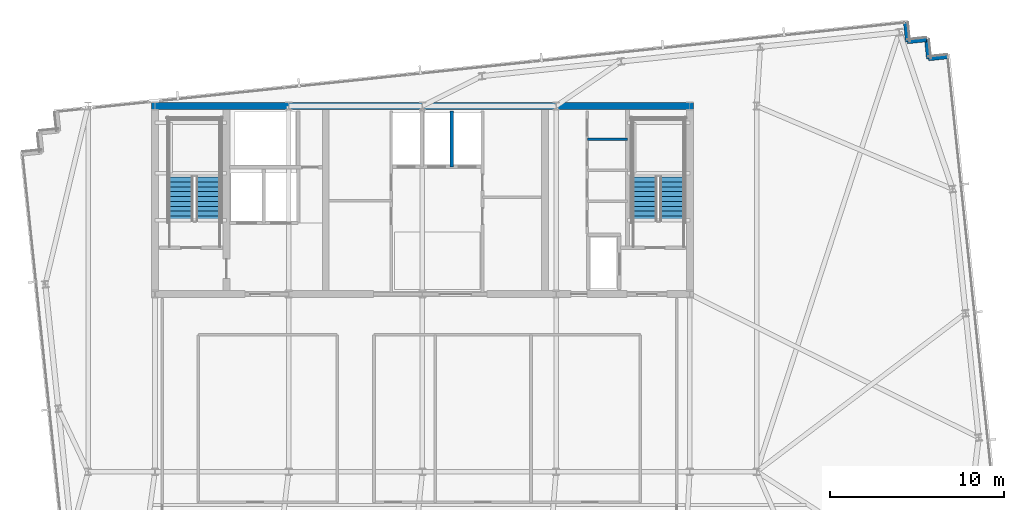
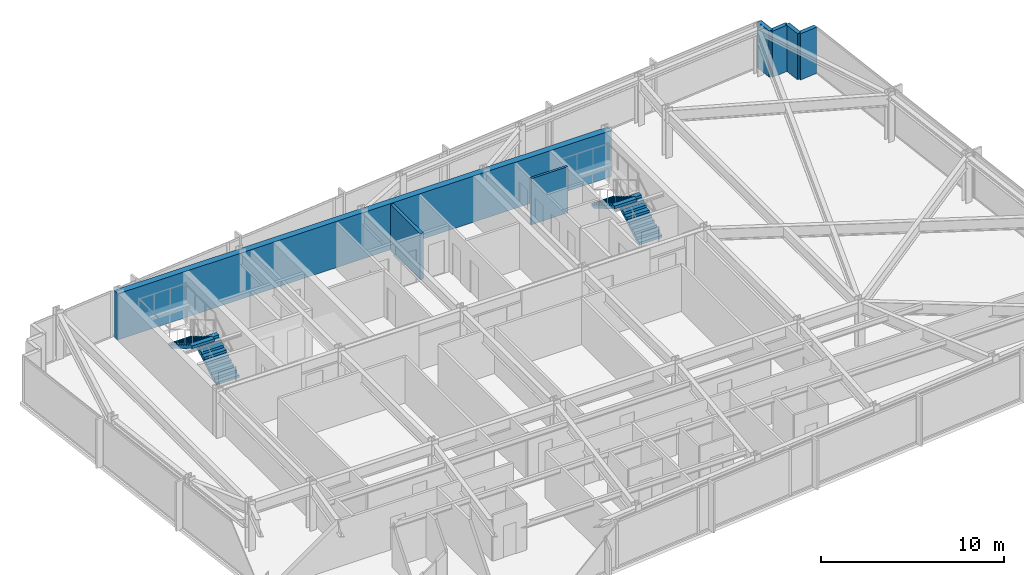
# One storey, part 29 of 33: 7 walls, 4 stair flights, 2 elements without a shape of their own.
"""IFC4 building model written with IfcOpenShell, lengths in metres."""

import ifcopenshell
import ifcopenshell.guid

model = None  # the IFC model being written
_history = None  # IfcOwnerHistory: only IFC2X3 demands one
_inside = {}  # id of a spatial element -> (the spatial element, [elements in it])
_under = {}  # id of a project, library or spatial element -> (it, [spatial elements below it])
_declared = {}  # id of a project -> (the project, [libraries it declares])
_typed = {}  # id of a type object -> (the type object, [elements of that type])
_made_of = {}  # id of a material, layer set ... -> (it, [elements and type objects made of it])


def new_model(schema):
    """Start an empty IFC model of exactly this schema.

    Asked for "IFC4X3", IfcOpenShell would pick the latest addendum, in which some entities
    have other attributes; the version numbers below select the first issue.
    IFC2X3 requires an IfcOwnerHistory on every rooted entity: one is made here for all.
    """
    global model, _history
    if schema == "IFC4X3":
        model = ifcopenshell.file(schema_version=(4, 3, 0, 0))
    else:
        model = ifcopenshell.file(schema=schema)
    _inside.clear()
    _under.clear()
    _declared.clear()
    _typed.clear()
    _made_of.clear()
    _history = None
    if model.schema == "IFC2X3":
        org = make("IfcOrganization", Name="unknown")
        user = make(
            "IfcPersonAndOrganization",
            ThePerson=make("IfcPerson", FamilyName="unknown"),
            TheOrganization=org,
        )
        app = make(
            "IfcApplication",
            ApplicationDeveloper=org,
            Version="unknown",
            ApplicationFullName="unknown",
            ApplicationIdentifier="unknown",
        )
        _history = make(
            "IfcOwnerHistory",
            OwningUser=user,
            OwningApplication=app,
            ChangeAction="ADDED",
            CreationDate=0,
        )
    return model


def make(cls, **values):
    """One entity of the class cls with the attributes given. An attribute that is None is left unset."""
    return model.create_entity(
        cls, **{name: value for name, value in values.items() if value is not None}
    )


def rooted(cls, **values):
    """An entity with a GlobalId (a new one), such as an element, a storey or a relation."""
    return make(cls, GlobalId=ifcopenshell.guid.new(), OwnerHistory=_history, **values)


def si_unit(unit_type, name, prefix=None):
    """IfcSIUnit, for example si_unit("LENGTHUNIT", "METRE", prefix="MILLI")."""
    return make("IfcSIUnit", UnitType=unit_type, Prefix=prefix, Name=name)


def assignment(units):
    """IfcUnitAssignment: the units of a project."""
    return None if units is None else make("IfcUnitAssignment", Units=units)


def point(xyz):
    """IfcCartesianPoint."""
    return None if xyz is None else make("IfcCartesianPoint", Coordinates=xyz)


def direction(xyz):
    """IfcDirection."""
    return None if xyz is None else make("IfcDirection", DirectionRatios=xyz)


def frame(location, z_axis=None, x_axis=None):
    """IfcAxis2Placement3D, a coordinate frame: its origin and axes. An axis left out is left unset."""
    return make(
        "IfcAxis2Placement3D",
        Location=point(location),
        Axis=direction(z_axis),
        RefDirection=direction(x_axis),
    )


def frame_2d(location, x_axis=None):
    """IfcAxis2Placement2D, a coordinate frame in the plane: its origin and x axis."""
    return make(
        "IfcAxis2Placement2D", Location=point(location), RefDirection=direction(x_axis)
    )


def origin():
    """The frame at (0, 0, 0) with its axes left unset."""
    return frame((0.0, 0.0, 0.0))


def place(relative_to, where):
    """IfcLocalPlacement: puts the frame where relative to a parent placement (None: the world)."""
    return make(
        "IfcLocalPlacement", PlacementRelTo=relative_to, RelativePlacement=where
    )


def context(
    kind, dimensions, precision=None, world=None, true_north=None, identifier=None
):
    """IfcGeometricRepresentationContext, for example the 3D "Model" context."""
    return make(
        "IfcGeometricRepresentationContext",
        ContextIdentifier=identifier,
        ContextType=kind,
        CoordinateSpaceDimension=dimensions,
        Precision=precision,
        WorldCoordinateSystem=world,
        TrueNorth=true_north,
    )


def subcontext(parent, identifier, kind, view, scale=None):
    """IfcGeometricRepresentationSubContext, for example "Body" below "Model"."""
    return make(
        "IfcGeometricRepresentationSubContext",
        ContextIdentifier=identifier,
        ContextType=kind,
        ParentContext=parent,
        TargetScale=scale,
        TargetView=view,
    )


def project(units=None, contexts=None):
    """IfcProject with its units and contexts."""
    return rooted(
        "IfcProject",
        Name="project",
        RepresentationContexts=contexts,
        UnitsInContext=assignment(units),
    )


def spatial(cls, under=None, at=None, **own):
    """A site, building, storey or space (cls), placed at a placement, below another one or the project."""
    s = rooted(cls, ObjectPlacement=at, **own)
    if under is not None:
        _under.setdefault(under.id(), (under, []))[1].append(s)
    return s


def polyline(points):
    """IfcPolyline through the points."""
    return make("IfcPolyline", Points=[point(p) for p in points])


def profile(cls, at=None, kind="AREA", **sizes):
    """A parametric profile (cls). Its sizes go by their IFC names, for example OverallWidth=200.0."""
    return make(cls, ProfileType=kind, Position=at, **sizes)


def rectangle(**sizes):
    """IfcRectangleProfileDef."""
    return profile("IfcRectangleProfileDef", **sizes)


def outline(outer, holes=None, kind="AREA"):
    """IfcArbitraryClosedProfileDef: a profile drawn as a closed curve; with holes, ...WithVoids."""
    if holes is None:
        return make("IfcArbitraryClosedProfileDef", ProfileType=kind, OuterCurve=outer)
    return make(
        "IfcArbitraryProfileDefWithVoids",
        ProfileType=kind,
        OuterCurve=outer,
        InnerCurves=holes,
    )


def extrude(swept, where, along, depth):
    """IfcExtrudedAreaSolid: the profile swept, set in the frame where, extruded along a direction by depth."""
    return make(
        "IfcExtrudedAreaSolid",
        SweptArea=swept,
        Position=where,
        ExtrudedDirection=direction(along),
        Depth=depth,
    )


def shape(context_of_items, identifier, shape_type, items):
    """IfcShapeRepresentation: the items that make up one representation, for example the "Body"."""
    return make(
        "IfcShapeRepresentation",
        ContextOfItems=context_of_items,
        RepresentationIdentifier=identifier,
        RepresentationType=shape_type,
        Items=items,
    )


def material(Name=None, Category=None):
    """IfcMaterial."""
    return make("IfcMaterial", Name=Name, Category=Category)


def layer(
    of_material, thickness, ventilated=None, Name=None, Category=None, Priority=None
):
    """IfcMaterialLayer: one layer of a wall or slab, of a material (None: an air gap)."""
    return make(
        "IfcMaterialLayer",
        Material=of_material,
        LayerThickness=thickness,
        IsVentilated=ventilated,
        Name=Name,
        Category=Category,
        Priority=Priority,
    )


def layer_set(layers, Name=None):
    """IfcMaterialLayerSet."""
    return make("IfcMaterialLayerSet", MaterialLayers=layers, LayerSetName=Name)


def made_of(thing, what):
    """Note that an element or type object is made of a material, layer set ...; save() writes the relation."""
    if what is not None:
        _made_of.setdefault(what.id(), (what, []))[1].append(thing)
    return thing


def type_object(cls, material=None, **own):
    """A type object (cls), such as IfcWallType, which elements share."""
    return made_of(rooted(cls, **own), material)


def element(
    cls,
    number,
    at=None,
    inside=None,
    cuts=None,
    type_object=None,
    material=None,
    context=None,
    identifier="Body",
    shape_type=None,
    held_by="IfcProductDefinitionShape",
    body=None,
    shapes=None,
    **own,
):
    """One element of the class cls, such as IfcWall. Its Tag is "e" and its number.

    at: its placement. inside: the storey or other place that contains it. cuts: it is an
    opening in that element (IfcRelVoidsElement). A single representation is given by context,
    identifier, shape_type and body (its items); several are given by shapes. held_by: the class
    of the entity that holds the representations. save() writes the other relations.
    """
    e = rooted(cls, Tag="e%d" % number, ObjectPlacement=at, **own)
    if body is not None:
        shapes = [shape(context, identifier, shape_type, body)]
    if shapes is not None:
        e.Representation = make(held_by, Representations=shapes)
    if inside is not None:
        _inside.setdefault(inside.id(), (inside, []))[1].append(e)
    if cuts is not None:
        rooted(
            "IfcRelVoidsElement", RelatingBuildingElement=cuts, RelatedOpeningElement=e
        )
    if type_object is not None:
        _typed.setdefault(type_object.id(), (type_object, []))[1].append(e)
    return made_of(e, material)


def aggregate(whole, parts):
    """IfcRelAggregates: a whole, such as a stair, and the parts it consists of."""
    return rooted("IfcRelAggregates", RelatingObject=whole, RelatedObjects=parts)


def save(model, path):
    """Write the relations noted so far, then the file.

    IfcRelAggregates (storeys below a building ...), IfcRelContainedInSpatialStructure (elements
    in a storey), IfcRelDefinesByType, IfcRelAssociatesMaterial and IfcRelDeclares: one each for
    every whole, place, type object, material and project.
    """
    for whole, parts in _under.values():
        aggregate(whole, parts)
    for where, things in _inside.values():
        rooted(
            "IfcRelContainedInSpatialStructure",
            RelatedElements=things,
            RelatingStructure=where,
        )
    for kind, things in _typed.values():
        rooted("IfcRelDefinesByType", RelatedObjects=things, RelatingType=kind)
    for what, things in _made_of.values():
        rooted("IfcRelAssociatesMaterial", RelatedObjects=things, RelatingMaterial=what)
    for by, libraries in _declared.values():
        rooted("IfcRelDeclares", RelatingContext=by, RelatedDefinitions=libraries)
    model.write(path)


model = new_model("IFC4")

# Units and contexts
model_context = context("Model", 3, precision=1e-05, world=origin(), true_north=direction((0.0, 1.0)))
body_context = subcontext(model_context, "Body", "Model", "MODEL_VIEW")
ifc_project = project(units=[si_unit("LENGTHUNIT", "METRE"), si_unit("AREAUNIT", "SQUARE_METRE"), si_unit("VOLUMEUNIT", "CUBIC_METRE"), si_unit("PLANEANGLEUNIT", "RADIAN"), si_unit("MASSUNIT", "GRAM", prefix="KILO")], contexts=[model_context])

# Site, building, storey
site_placement = place(None, origin())
site = spatial("IfcSite", under=ifc_project, at=site_placement, CompositionType="ELEMENT")
building_placement = place(site_placement, origin())
building = spatial("IfcBuilding", under=site, at=building_placement, Name="Yelkora Congress Tower", CompositionType="ELEMENT")
storey_placement = place(building_placement, frame((0.0, 0.0, 227.60009765625)))
storey = spatial("IfcBuildingStorey", under=building, at=storey_placement, Name="L63", CompositionType="ELEMENT", Elevation=227.60009765625)

# Walls
ifc_material_1 = material(Name="Concrete C50/60", Category="concrete")
ifc_layer_1 = layer(ifc_material_1, 0.39990234375)
ifc_layer_set_1 = layer_set([ifc_layer_1], Name="Concrete C50/60")
wall_type_1 = type_object("IfcWallType", Name="WALL-CORE-INT-400", PredefinedType="SHEAR", material=ifc_layer_set_1)
wall_1_placement = place(storey_placement, frame((22.840087890625, 46.199951171875, 0.0), z_axis=(0.0, 0.0, 1.0), x_axis=(1.0, 0.0, 0.0)))
element("IfcWall", 1, at=wall_1_placement, inside=storey, type_object=wall_type_1, Name="L63 Rear Core North Shear Wall", PredefinedType="SHEAR", context=body_context, shape_type="SweptSolid", body=[
    extrude(rectangle(XDim=31.119873046875, YDim=0.39990234375, at=frame_2d((15.56005859375, 0.0))), origin(), (0.0, 0.0, 1.0), 3.079833984375),
])
ifc_material_2 = material(Name="Concrete C40/50", Category="concrete")
ifc_layer_2 = layer(ifc_material_2, 0.239990234375)
ifc_layer_set_2 = layer_set([ifc_layer_2], Name="Concrete C40/50")
wall_type_2 = type_object("IfcWallType", Name="WALL-EXT-LIMESTONE-240", PredefinedType="SOLIDWALL", material=ifc_layer_set_2)
for number, where, z_axis, x_axis, name in (
    (2, (66.150390625, 50.986572265625, 0.0), (0.0, 0.0, 1.0), (0.104534592565, -0.994521251134, 0.0), "L63 Serrated Corner Limestone Pier 11"),
    (3, (66.265380859375, 49.892578125, 0.0), (0.0, 0.0, 1.0), (0.994521251134, 0.104534592565, 0.0), "L63 Serrated Corner Limestone Pier 12"),
    (4, (67.359375, 50.007568359375, 0.0), (0.0, 0.0, 1.0), (0.104534592565, -0.994521251134, 0.0), "L63 Serrated Corner Limestone Pier 13"),
    (5, (67.474365234375, 48.91357421875, 0.0), (0.0, 0.0, 1.0), (0.994521251134, 0.104534592565, 0.0), "L63 Serrated Corner Limestone Pier 14"),
):
    element("IfcWall", number, at=place(storey_placement, frame(where, z_axis=z_axis, x_axis=x_axis)), inside=storey, type_object=wall_type_2, Name=name, PredefinedType="SOLIDWALL", context=body_context, shape_type="SweptSolid", body=[
        extrude(rectangle(XDim=1.10009765625, YDim=0.239990234375, at=frame_2d((0.550048828125, 0.0))), origin(), (0.0, 0.0, 1.0), 3.079833984375),
    ])
ifc_material_3 = material(Name="Acoustic metal-stud gypsum partition", Category="gypsum")
ifc_layer_3 = layer(ifc_material_3, 0.14990234375)
ifc_layer_set_3 = layer_set([ifc_layer_3], Name="Acoustic metal-stud gypsum partition")
wall_type_3 = type_object("IfcWallType", Name="WALL-INT-150-NR", PredefinedType="PARTITIONING", material=ifc_layer_set_3)
wall_2_placement = place(storey_placement, frame((47.8798828125, 44.280029296875, 0.0), z_axis=(0.0, 0.0, 1.0), x_axis=(1.0, 0.0, 0.0)))
element("IfcWall", 6, at=wall_2_placement, inside=storey, type_object=wall_type_3, Name="L63 Partition Wall 22", PredefinedType="PARTITIONING", context=body_context, shape_type="SweptSolid", body=[
    extrude(rectangle(XDim=2.300048828125, YDim=0.14990234375, at=frame_2d((1.14990234375, 0.0))), origin(), (0.0, 0.0, 1.0), 3.079833984375),
])
ifc_material_4 = material(Name="Autoclaved aerated concrete blockwork", Category="masonry")
ifc_layer_4 = layer(ifc_material_4, 0.199951171875)
ifc_layer_set_4 = layer_set([ifc_layer_4], Name="Autoclaved aerated concrete blockwork")
wall_type_4 = type_object("IfcWallType", Name="WALL-INT-200-R120", PredefinedType="PARTITIONING", material=ifc_layer_set_4)
wall_3_placement = place(storey_placement, frame((40.10009765625, 42.699951171875, 0.0), z_axis=(0.0, 0.0, 1.0), x_axis=(0.0, 1.0, 0.0)))
element("IfcWall", 7, at=wall_3_placement, inside=storey, type_object=wall_type_4, Name="L63 Partition Wall 10", PredefinedType="PARTITIONING", context=body_context, shape_type="SweptSolid", body=[
    extrude(rectangle(XDim=3.219970703125, YDim=0.199951171875, at=frame_2d((1.60986328125, 0.0))), origin(), (0.0, 0.0, 1.0), 3.079833984375),
])

# Stair, stair flights
stair_type = type_object("IfcStairType", Name="STAIR-HT-1420-R20-165", PredefinedType="HALF_TURN_STAIR", material=ifc_material_2)
stair_1_placement = place(storey_placement, origin())
stair_1 = element("IfcStair", 8, at=stair_1_placement, inside=storey, type_object=stair_type, Name="West Core Protected Exit Stair ST-01 (L63)", PredefinedType="HALF_TURN_STAIR")
stair_flight_type = type_object("IfcStairFlightType", Name="FLIGHT-1420-N10-R165-G280", PredefinedType="STRAIGHT", material=ifc_material_2)
stair_flight_1_placement = place(storey_placement, frame((26.110107421875, 39.60009765625, 0.0), z_axis=(0.0, 0.0, 1.0), x_axis=(0.0, 1.0, 0.0)))
stair_flight_1 = element("IfcStairFlight", 9, at=stair_flight_1_placement, type_object=stair_flight_type, Name="ST-01 L63 Flight 1", NumberOfRisers=10, NumberOfTreads=9, PredefinedType="STRAIGHT", RiserHeight=0.165, TreadLength=0.28, context=body_context, shape_type="SweptSolid", body=[
    extrude(outline(polyline([(0.0, 0.0), (0.0, 0.1650390625), (0.280029296875, 0.1650390625), (0.280029296875, 0.330078125), (0.56005859375, 0.330078125), (0.56005859375, 0.4951171875), (0.840087890625, 0.4951171875), (0.840087890625, 0.659912109375), (1.1201171875, 0.659912109375), (1.1201171875, 0.824951171875), (1.39990234375, 0.824951171875), (1.39990234375, 0.989990234375), (1.679931640625, 0.989990234375), (1.679931640625, 1.155029296875), (1.9599609375, 1.155029296875), (1.9599609375, 1.320068359375), (2.239990234375, 1.320068359375), (2.239990234375, 1.485107421875), (2.52001953125, 1.485107421875), (2.52001953125, 1.64990234375), (2.52001953125, 1.29931640625), (0.31494140625, 0.0), (0.0, 0.0)])), frame((0.0, 0.7099609375, 0.0), z_axis=(0.0, -1.0, 0.0), x_axis=(1.0, 0.0, 0.0)), (0.0, 0.0, 1.0), 1.419921875),
])
stair_flight_2_placement = place(storey_placement, frame((24.530029296875, 42.1201171875, 1.64990234375), z_axis=(0.0, 0.0, 1.0), x_axis=(0.0, -1.0, 0.0)))
stair_flight_2 = element("IfcStairFlight", 10, at=stair_flight_2_placement, type_object=stair_flight_type, Name="ST-01 L63 Flight 2", NumberOfRisers=10, NumberOfTreads=9, PredefinedType="STRAIGHT", RiserHeight=0.165, TreadLength=0.28, context=body_context, shape_type="SweptSolid", body=[
    extrude(outline(polyline([(0.0, 0.0), (0.0, 0.1650390625), (0.280029296875, 0.1650390625), (0.280029296875, 0.330078125), (0.56005859375, 0.330078125), (0.56005859375, 0.4951171875), (0.840087890625, 0.4951171875), (0.840087890625, 0.659912109375), (1.1201171875, 0.659912109375), (1.1201171875, 0.824951171875), (1.39990234375, 0.824951171875), (1.39990234375, 0.989990234375), (1.679931640625, 0.989990234375), (1.679931640625, 1.155029296875), (1.9599609375, 1.155029296875), (1.9599609375, 1.320068359375), (2.239990234375, 1.320068359375), (2.239990234375, 1.485107421875), (2.52001953125, 1.485107421875), (2.52001953125, 1.64990234375), (2.52001953125, 1.29931640625), (0.31494140625, 0.0), (0.0, 0.0)])), frame((0.0, 0.7099609375, 0.0), z_axis=(0.0, -1.0, 0.0), x_axis=(1.0, 0.0, 0.0)), (0.0, 0.0, 1.0), 1.419921875),
])
aggregate(stair_1, [stair_flight_1, stair_flight_2])

stair_2_placement = place(storey_placement, origin())
stair_2 = element("IfcStair", 11, at=stair_2_placement, inside=storey, type_object=stair_type, Name="East Core Protected Exit Stair ST-02 (L63)", PredefinedType="HALF_TURN_STAIR")
stair_flight_3_placement = place(storey_placement, frame((52.75, 39.60009765625, 0.0), z_axis=(0.0, 0.0, 1.0), x_axis=(0.0, 1.0, 0.0)))
stair_flight_3 = element("IfcStairFlight", 12, at=stair_flight_3_placement, type_object=stair_flight_type, Name="ST-02 L63 Flight 1", NumberOfRisers=10, NumberOfTreads=9, PredefinedType="STRAIGHT", RiserHeight=0.165, TreadLength=0.28, context=body_context, shape_type="SweptSolid", body=[
    extrude(outline(polyline([(0.0, 0.0), (0.0, 0.1650390625), (0.280029296875, 0.1650390625), (0.280029296875, 0.330078125), (0.56005859375, 0.330078125), (0.56005859375, 0.4951171875), (0.840087890625, 0.4951171875), (0.840087890625, 0.659912109375), (1.1201171875, 0.659912109375), (1.1201171875, 0.824951171875), (1.39990234375, 0.824951171875), (1.39990234375, 0.989990234375), (1.679931640625, 0.989990234375), (1.679931640625, 1.155029296875), (1.9599609375, 1.155029296875), (1.9599609375, 1.320068359375), (2.239990234375, 1.320068359375), (2.239990234375, 1.485107421875), (2.52001953125, 1.485107421875), (2.52001953125, 1.64990234375), (2.52001953125, 1.29931640625), (0.31494140625, 0.0), (0.0, 0.0)])), frame((0.0, 0.7099609375, 0.0), z_axis=(0.0, -1.0, 0.0), x_axis=(1.0, 0.0, 0.0)), (0.0, 0.0, 1.0), 1.419921875),
])
stair_flight_4_placement = place(storey_placement, frame((51.169921875, 42.1201171875, 1.64990234375), z_axis=(0.0, 0.0, 1.0), x_axis=(0.0, -1.0, 0.0)))
stair_flight_4 = element("IfcStairFlight", 13, at=stair_flight_4_placement, type_object=stair_flight_type, Name="ST-02 L63 Flight 2", NumberOfRisers=10, NumberOfTreads=9, PredefinedType="STRAIGHT", RiserHeight=0.165, TreadLength=0.28, context=body_context, shape_type="SweptSolid", body=[
    extrude(outline(polyline([(0.0, 0.0), (0.0, 0.1650390625), (0.280029296875, 0.1650390625), (0.280029296875, 0.330078125), (0.56005859375, 0.330078125), (0.56005859375, 0.4951171875), (0.840087890625, 0.4951171875), (0.840087890625, 0.659912109375), (1.1201171875, 0.659912109375), (1.1201171875, 0.824951171875), (1.39990234375, 0.824951171875), (1.39990234375, 0.989990234375), (1.679931640625, 0.989990234375), (1.679931640625, 1.155029296875), (1.9599609375, 1.155029296875), (1.9599609375, 1.320068359375), (2.239990234375, 1.320068359375), (2.239990234375, 1.485107421875), (2.52001953125, 1.485107421875), (2.52001953125, 1.64990234375), (2.52001953125, 1.29931640625), (0.31494140625, 0.0), (0.0, 0.0)])), frame((0.0, 0.7099609375, 0.0), z_axis=(0.0, -1.0, 0.0), x_axis=(1.0, 0.0, 0.0)), (0.0, 0.0, 1.0), 1.419921875),
])
aggregate(stair_2, [stair_flight_3, stair_flight_4])

save(model, "model.ifc")
